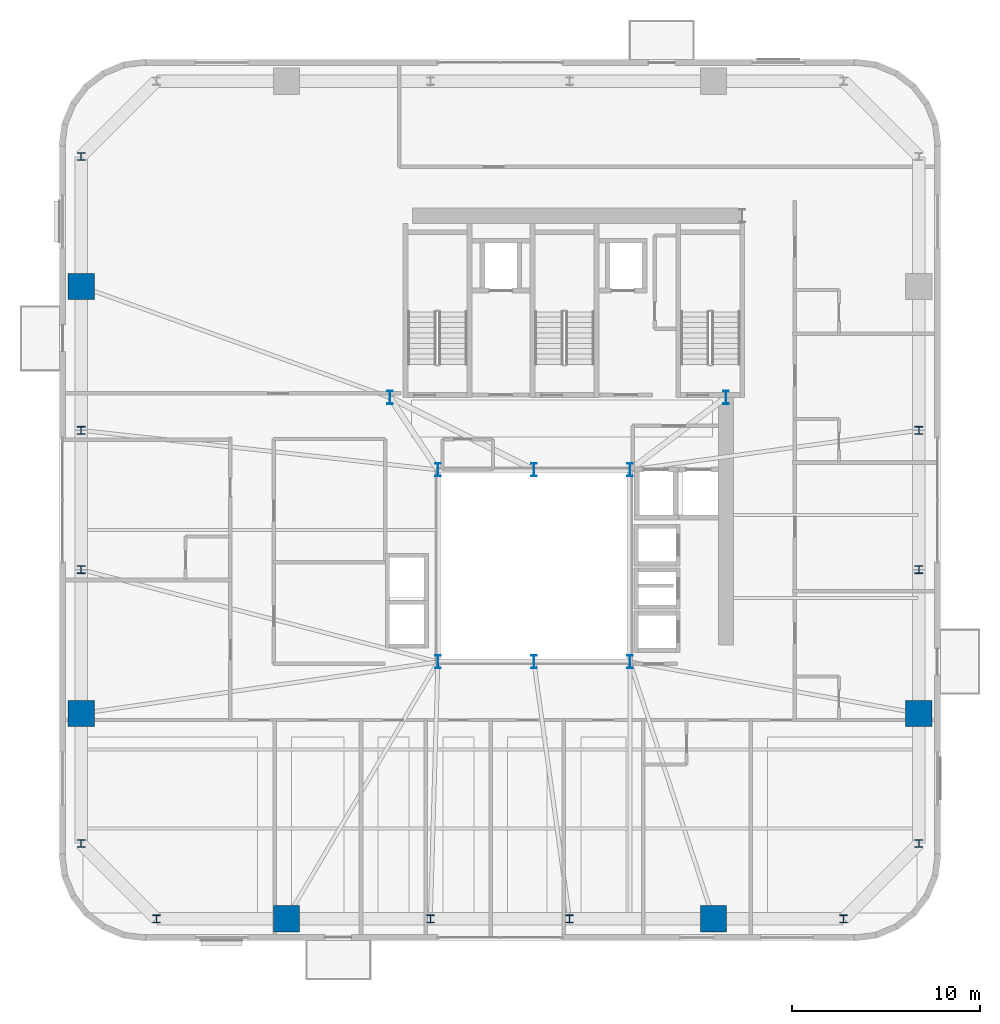
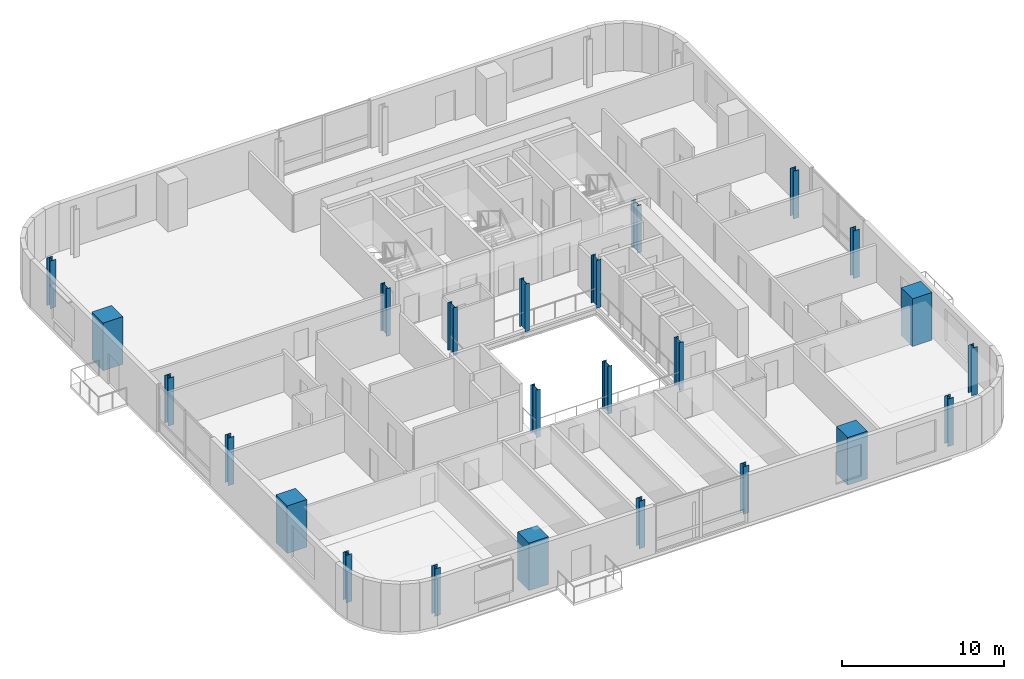
# One storey, part 1 of 16: 24 columns.
"""IFC4 building model written with IfcOpenShell, lengths in metres."""

from ifc_helpers import new_model, si_unit, direction, frame, origin, origin_2d, place, context, subcontext, project, spatial, rectangle, i_section, extrude, source, transform, mapped, material, material_profile, profile_set, type_object, element, save


model = new_model("IFC4")

# Units and contexts
model_context = context("Model", 3, precision=1e-05, world=origin(), true_north=direction((0.0, 1.0)))
body_context = subcontext(model_context, "Body", "Model", "MODEL_VIEW")
ifc_project = project(units=[si_unit("LENGTHUNIT", "METRE"), si_unit("AREAUNIT", "SQUARE_METRE"), si_unit("VOLUMEUNIT", "CUBIC_METRE"), si_unit("PLANEANGLEUNIT", "RADIAN"), si_unit("MASSUNIT", "GRAM", prefix="KILO")], contexts=[model_context])

# Site, building, storey
site_placement = place(None, origin())
site = spatial("IfcSite", under=ifc_project, at=site_placement, CompositionType="ELEMENT")
building_placement = place(site_placement, origin())
building = spatial("IfcBuilding", under=site, at=building_placement, Name="Vardaveli Station Tower", CompositionType="ELEMENT")
storey_placement = place(building_placement, frame((0.0, 0.0, 181.0)))
storey = spatial("IfcBuildingStorey", under=building, at=storey_placement, Name="L46", CompositionType="ELEMENT", Elevation=181.0)

# Columns
ifc_material_1 = material(Name="Structural steel S460M", Category="steel")
ifc_material_profile_1 = material_profile(ifc_material_1, i_section(OverallWidth=0.300048828125, OverallDepth=0.699951171875, WebThickness=0.01708984375, FlangeThickness=0.031982421875, FilletRadius=0.027099609375, at=origin_2d()), Name="HEB 700")
ifc_profile_set_1 = profile_set([ifc_material_profile_1], Name="Structural steel S460M")
column_type_1 = type_object("IfcColumnType", Name="COL-HEB700", PredefinedType="COLUMN", material=ifc_profile_set_1)
shared_shape_1 = source(origin(), body_context, "Body", "SweptSolid", [
    extrude(i_section(OverallWidth=0.300048828125, OverallDepth=0.699951171875, WebThickness=0.01708984375, FlangeThickness=0.031982421875, FilletRadius=0.027099609375, at=origin_2d()), origin(), (0.0, 0.0, 1.0), 3.580078125),
])
for number, where, z_axis, x_axis, name in (
    (1, (31.199951171875, 16.60009765625, 0.0), (0.0, 0.0, 1.0), (1.0, 0.0, 0.0), "COL-L46-AC1"),
    (2, (36.300048828125, 16.60009765625, 0.0), (0.0, 0.0, 1.0), (1.0, 0.0, 0.0), "COL-L46-AC2"),
    (3, (41.39990234375, 16.60009765625, 0.0), (0.0, 0.0, 1.0), (1.0, 0.0, 0.0), "COL-L46-AC3"),
    (4, (41.39990234375, 26.800048828125, 0.0), (0.0, 0.0, 1.0), (1.0, 0.0, 0.0), "COL-L46-AC4"),
    (5, (36.300048828125, 26.800048828125, 0.0), (0.0, 0.0, 1.0), (1.0, 0.0, 0.0), "COL-L46-AC5"),
    (6, (31.199951171875, 26.800048828125, 0.0), (0.0, 0.0, 1.0), (1.0, 0.0, 0.0), "COL-L46-AC6"),
    (7, (28.64990234375, 30.64990234375, 0.0), (0.0, 0.0, 1.0), (1.0, 0.0, 0.0), "COL-L46-CC1"),
    (8, (46.5, 30.64990234375, 0.0), (0.0, 0.0, 1.0), (1.0, 0.0, 0.0), "COL-L46-CC2"),
):
    element("IfcColumn", number, at=place(storey_placement, frame(where, z_axis=z_axis, x_axis=x_axis)), inside=storey, type_object=column_type_1, Name=name, PredefinedType="COLUMN", context=body_context, shape_type="MappedRepresentation", body=[
        mapped(shared_shape_1, transform((0.0, 0.0, 0.0), scale=1.0)),
    ])
ifc_material_2 = material(Name="Concrete C50/60", Category="concrete")
ifc_material_profile_2 = material_profile(ifc_material_2, rectangle(XDim=1.39990234375, YDim=1.39990234375, at=origin_2d()), Name="MC 1400x1400")
ifc_profile_set_2 = profile_set([ifc_material_profile_2], Name="Concrete C50/60")
column_type_2 = type_object("IfcColumnType", Name="COL-MC-1400", PredefinedType="COLUMN", material=ifc_profile_set_2)
shared_shape_2 = source(origin(), body_context, "Body", "SweptSolid", [
    extrude(rectangle(XDim=1.39990234375, YDim=1.39990234375, at=origin_2d()), origin(), (0.0, 0.0, 1.0), 3.580078125),
])
for number, where, z_axis, x_axis, name in (
    (9, (23.159912109375, 2.949951171875, 0.0), (0.0, 0.0, 1.0), (1.0, 0.0, 0.0), "COL-L46-MC1"),
    (10, (45.840087890625, 2.949951171875, 0.0), (0.0, 0.0, 1.0), (1.0, 0.0, 0.0), "COL-L46-MC2"),
    (11, (56.75, 13.860107421875, 0.0), (0.0, 0.0, 1.0), (1.0, 0.0, 0.0), "COL-L46-MC3"),
    (12, (12.25, 36.5400390625, 0.0), (0.0, 0.0, 1.0), (1.0, 0.0, 0.0), "COL-L46-MC7"),
    (13, (12.25, 13.860107421875, 0.0), (0.0, 0.0, 1.0), (1.0, 0.0, 0.0), "COL-L46-MC8"),
):
    element("IfcColumn", number, at=place(storey_placement, frame(where, z_axis=z_axis, x_axis=x_axis)), inside=storey, type_object=column_type_2, Name=name, PredefinedType="COLUMN", context=body_context, shape_type="MappedRepresentation", body=[
        mapped(shared_shape_2, transform((0.0, 0.0, 0.0), scale=1.0)),
    ])
ifc_material_profile_3 = material_profile(ifc_material_1, i_section(OverallWidth=0.408935546875, OverallDepth=0.4169921875, WebThickness=0.021240234375, FlangeThickness=0.033203125, FilletRadius=0.014892578125, at=origin_2d()), Name="HD 400x347")
ifc_profile_set_3 = profile_set([ifc_material_profile_3], Name="Structural steel S460M")
column_type_3 = type_object("IfcColumnType", Name="COL-HD347", PredefinedType="COLUMN", material=ifc_profile_set_3)
shared_shape_3 = source(origin(), body_context, "Body", "SweptSolid", [
    extrude(i_section(OverallWidth=0.408935546875, OverallDepth=0.4169921875, WebThickness=0.021240234375, FlangeThickness=0.033203125, FilletRadius=0.014892578125, at=origin_2d()), origin(), (0.0, 0.0, 1.0), 3.580078125),
])
for number, where, z_axis, x_axis, name in (
    (14, (16.25, 2.949951171875, 0.0), (0.0, 0.0, 1.0), (1.0, 0.0, 0.0), "COL-L46-PC01"),
    (15, (30.800048828125, 2.949951171875, 0.0), (0.0, 0.0, 1.0), (1.0, 0.0, 0.0), "COL-L46-PC02"),
    (16, (38.199951171875, 2.949951171875, 0.0), (0.0, 0.0, 1.0), (1.0, 0.0, 0.0), "COL-L46-PC03"),
    (17, (52.75, 2.949951171875, 0.0), (0.0, 0.0, 1.0), (1.0, 0.0, 0.0), "COL-L46-PC04"),
    (18, (56.75, 6.949951171875, 0.0), (0.0, 0.0, 1.0), (1.0, 0.0, 0.0), "COL-L46-PC05"),
    (19, (56.75, 21.5, 0.0), (0.0, 0.0, 1.0), (1.0, 0.0, 0.0), "COL-L46-PC06"),
    (20, (56.75, 28.89990234375, 0.0), (0.0, 0.0, 1.0), (1.0, 0.0, 0.0), "COL-L46-PC07"),
    (21, (12.25, 43.449951171875, 0.0), (0.0, 0.0, 1.0), (1.0, 0.0, 0.0), "COL-L46-PC13"),
    (22, (12.25, 28.89990234375, 0.0), (0.0, 0.0, 1.0), (1.0, 0.0, 0.0), "COL-L46-PC14"),
    (23, (12.25, 21.5, 0.0), (0.0, 0.0, 1.0), (1.0, 0.0, 0.0), "COL-L46-PC15"),
    (24, (12.25, 6.949951171875, 0.0), (0.0, 0.0, 1.0), (1.0, 0.0, 0.0), "COL-L46-PC16"),
):
    element("IfcColumn", number, at=place(storey_placement, frame(where, z_axis=z_axis, x_axis=x_axis)), inside=storey, type_object=column_type_3, Name=name, PredefinedType="COLUMN", context=body_context, shape_type="MappedRepresentation", body=[
        mapped(shared_shape_3, transform((0.0, 0.0, 0.0), scale=1.0)),
    ])

save(model, "model.ifc")
